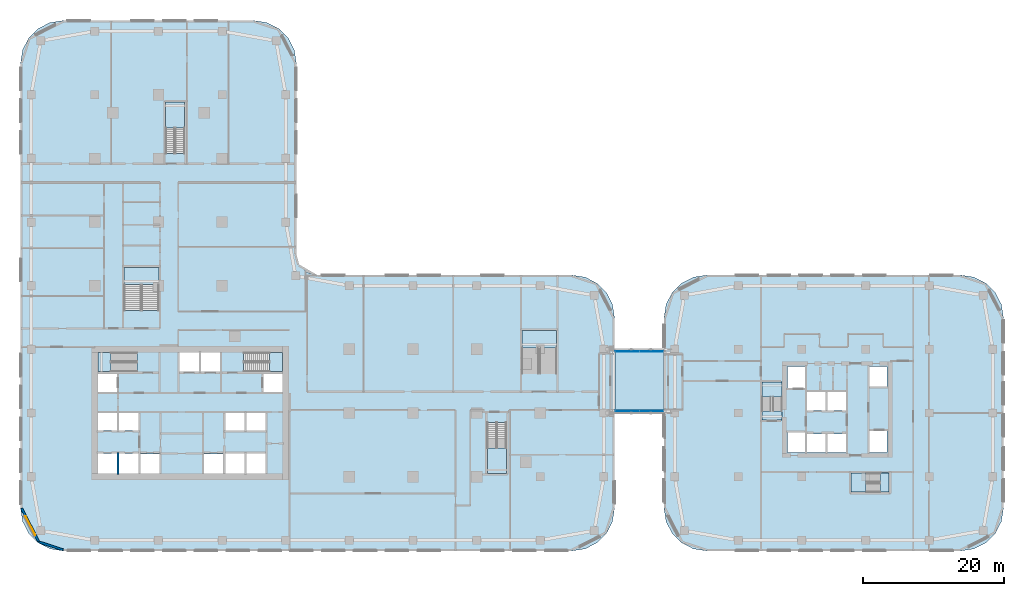
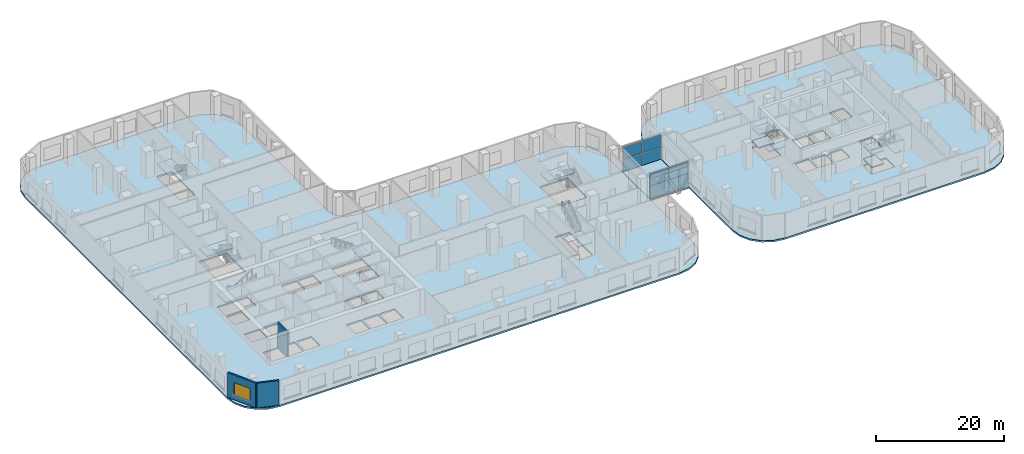
# One storey, part 5 of 35: 15 slabs, 8 plates, 3 walls, 1 window, 1 opening, 10 elements without a shape of their own.
"""IFC4 building model written with IfcOpenShell, lengths in metres."""

from ifc_helpers import new_model, si_unit, direction, frame, frame_2d, origin, origin_2d, place, context, subcontext, project, spatial, polyline, rectangle, outline, extrude, material, layer, layer_set, type_object, element, fill, aggregate, save


model = new_model("IFC4")

# Units and contexts
model_context = context("Model", 3, precision=1e-05, world=origin(), true_north=direction((0.0, 1.0)))
body_context = subcontext(model_context, "Body", "Model", "MODEL_VIEW")
ifc_project = project(units=[si_unit("LENGTHUNIT", "METRE"), si_unit("AREAUNIT", "SQUARE_METRE"), si_unit("VOLUMEUNIT", "CUBIC_METRE"), si_unit("PLANEANGLEUNIT", "RADIAN"), si_unit("MASSUNIT", "GRAM", prefix="KILO")], contexts=[model_context])

# Site, building, storey
site_placement = place(None, origin())
site = spatial("IfcSite", under=ifc_project, at=site_placement, CompositionType="ELEMENT")
building_placement = place(site_placement, origin())
building = spatial("IfcBuilding", under=site, at=building_placement, Name="Ogive Portal Towers", CompositionType="ELEMENT")
storey_placement = place(building_placement, frame((0.0, 0.0, 23.5)))
storey = spatial("IfcBuildingStorey", under=building, at=storey_placement, Name="L04", CompositionType="ELEMENT", Elevation=23.5)

# Curtain wall, plates
ifc_material_1 = material(Name="Glass, clear low-iron insulated glazing", Category="glass")
curtain_wall_type = type_object("IfcCurtainWallType", Name="CW LINK ENCLOSURE", PredefinedType="NOTDEFINED", material=ifc_material_1)
curtain_wall_1_placement = place(storey_placement, origin())
curtain_wall_1 = element("IfcCurtainWall", 1, at=curtain_wall_1_placement, inside=storey, type_object=curtain_wall_type, Name="A:L04:link:s", PredefinedType="NOTDEFINED")
ifc_material_2 = material(Name="Aluminium composite spandrel panel, insulated", Category="aluminium")
ifc_layer_1 = layer(ifc_material_2, 0.06005859375)
ifc_layer_set_1 = layer_set([ifc_layer_1], Name="CW PANEL SPANDREL 60")
plate_type = type_object("IfcPlateType", Name="CW PANEL SPANDREL 60", PredefinedType="CURTAIN_PANEL", material=ifc_layer_set_1)
plate_1_placement = place(storey_placement, frame((106.77490234375, 30.800048828125, 0.0), z_axis=(0.0, 0.0, 1.0), x_axis=(1.0, 0.0, 0.0)))
plate_1 = element("IfcPlate", 2, at=plate_1_placement, type_object=plate_type, Name="spandrel panel", PredefinedType="CURTAIN_PANEL", context=body_context, shape_type="SweptSolid", body=[
    extrude(rectangle(XDim=3.389892578125, YDim=0.06005859375, at=origin_2d()), origin(), (0.0, 0.0, 1.0), 2.3701171875),
])
plate_2_placement = place(storey_placement, frame((106.77490234375, 30.800048828125, 2.429931640625), z_axis=(0.0, 0.0, 1.0), x_axis=(1.0, 0.0, 0.0)))
plate_2 = element("IfcPlate", 3, at=plate_2_placement, type_object=plate_type, Name="spandrel panel", PredefinedType="CURTAIN_PANEL", context=body_context, shape_type="SweptSolid", body=[
    extrude(rectangle(XDim=3.389892578125, YDim=0.06005859375, at=origin_2d()), origin(), (0.0, 0.0, 1.0), 2.2099609375),
])
plate_3_placement = place(storey_placement, frame((110.22509765625, 30.800048828125, 0.0), z_axis=(0.0, 0.0, 1.0), x_axis=(1.0, 0.0, 0.0)))
plate_3 = element("IfcPlate", 4, at=plate_3_placement, type_object=plate_type, Name="spandrel panel", PredefinedType="CURTAIN_PANEL", context=body_context, shape_type="SweptSolid", body=[
    extrude(rectangle(XDim=3.389892578125, YDim=0.06005859375, at=origin_2d()), origin(), (0.0, 0.0, 1.0), 2.3701171875),
])
plate_4_placement = place(storey_placement, frame((110.22509765625, 30.800048828125, 2.429931640625), z_axis=(0.0, 0.0, 1.0), x_axis=(1.0, 0.0, 0.0)))
plate_4 = element("IfcPlate", 5, at=plate_4_placement, type_object=plate_type, Name="spandrel panel", PredefinedType="CURTAIN_PANEL", context=body_context, shape_type="SweptSolid", body=[
    extrude(rectangle(XDim=3.389892578125, YDim=0.06005859375, at=origin_2d()), origin(), (0.0, 0.0, 1.0), 2.2099609375),
])
aggregate(curtain_wall_1, [plate_1, plate_2, plate_3, plate_4])

curtain_wall_2_placement = place(storey_placement, origin())
curtain_wall_2 = element("IfcCurtainWall", 6, at=curtain_wall_2_placement, inside=storey, type_object=curtain_wall_type, Name="A:L04:link:n", PredefinedType="NOTDEFINED")
plate_5_placement = place(storey_placement, frame((106.77490234375, 39.199951171875, 0.0), z_axis=(0.0, 0.0, 1.0), x_axis=(1.0, 0.0, 0.0)))
plate_5 = element("IfcPlate", 7, at=plate_5_placement, type_object=plate_type, Name="spandrel panel", PredefinedType="CURTAIN_PANEL", context=body_context, shape_type="SweptSolid", body=[
    extrude(rectangle(XDim=3.389892578125, YDim=0.06005859375, at=origin_2d()), origin(), (0.0, 0.0, 1.0), 2.3701171875),
])
plate_6_placement = place(storey_placement, frame((106.77490234375, 39.199951171875, 2.429931640625), z_axis=(0.0, 0.0, 1.0), x_axis=(1.0, 0.0, 0.0)))
plate_6 = element("IfcPlate", 8, at=plate_6_placement, type_object=plate_type, Name="spandrel panel", PredefinedType="CURTAIN_PANEL", context=body_context, shape_type="SweptSolid", body=[
    extrude(rectangle(XDim=3.389892578125, YDim=0.06005859375, at=origin_2d()), origin(), (0.0, 0.0, 1.0), 2.2099609375),
])
plate_7_placement = place(storey_placement, frame((110.22509765625, 39.199951171875, 0.0), z_axis=(0.0, 0.0, 1.0), x_axis=(1.0, 0.0, 0.0)))
plate_7 = element("IfcPlate", 9, at=plate_7_placement, type_object=plate_type, Name="spandrel panel", PredefinedType="CURTAIN_PANEL", context=body_context, shape_type="SweptSolid", body=[
    extrude(rectangle(XDim=3.389892578125, YDim=0.06005859375, at=origin_2d()), origin(), (0.0, 0.0, 1.0), 2.3701171875),
])
plate_8_placement = place(storey_placement, frame((110.22509765625, 39.199951171875, 2.429931640625), z_axis=(0.0, 0.0, 1.0), x_axis=(1.0, 0.0, 0.0)))
plate_8 = element("IfcPlate", 10, at=plate_8_placement, type_object=plate_type, Name="spandrel panel", PredefinedType="CURTAIN_PANEL", context=body_context, shape_type="SweptSolid", body=[
    extrude(rectangle(XDim=3.389892578125, YDim=0.06005859375, at=origin_2d()), origin(), (0.0, 0.0, 1.0), 2.2099609375),
])
aggregate(curtain_wall_2, [plate_5, plate_6, plate_7, plate_8])

# Stair, slab
ifc_material_3 = material(Name="Concrete C40/50", Category="concrete")
stair_type = type_object("IfcStairType", Name="INT-STAIR", PredefinedType="HALF_TURN_STAIR", material=ifc_material_3)
stair_1_placement = place(storey_placement, origin())
stair_1 = element("IfcStair", 11, at=stair_1_placement, inside=storey, type_object=stair_type, Name="L04 Exit Stair ST-A1", PredefinedType="HALF_TURN_STAIR")
ifc_layer_2 = layer(ifc_material_3, 0.199951171875)
ifc_layer_set_2 = layer_set([ifc_layer_2], Name="INT-LANDING")
slab_type_1 = type_object("IfcSlabType", Name="INT-LANDING", PredefinedType="LANDING", material=ifc_layer_set_2)
slab_1_placement = place(storey_placement, frame((0.0, 0.0, 2.300048828125)))
slab_1 = element("IfcSlab", 12, at=slab_1_placement, type_object=slab_type_1, Name="ST-A1 landing 1", PredefinedType="LANDING", context=body_context, shape_type="SweptSolid", body=[
    extrude(outline(polyline([(33.81005859375, 39.050048828125), (31.949951171875, 39.050048828125), (31.949951171875, 36.35009765625), (33.81005859375, 36.35009765625), (33.81005859375, 39.050048828125)])), origin(), (0.0, 0.0, 1.0), 0.199951171875),
])
aggregate(stair_1, [slab_1])

stair_2_placement = place(storey_placement, origin())
stair_2 = element("IfcStair", 13, at=stair_2_placement, inside=storey, type_object=stair_type, Name="L04 Exit Stair ST-A2", PredefinedType="HALF_TURN_STAIR")
slab_2_placement = place(storey_placement, frame((0.0, 0.0, 2.300048828125)))
slab_2 = element("IfcSlab", 14, at=slab_2_placement, type_object=slab_type_1, Name="ST-A2 landing 1", PredefinedType="LANDING", context=body_context, shape_type="SweptSolid", body=[
    extrude(outline(polyline([(56.18994140625, 36.35009765625), (58.050048828125, 36.35009765625), (58.050048828125, 39.050048828125), (56.18994140625, 39.050048828125), (56.18994140625, 36.35009765625)])), origin(), (0.0, 0.0, 1.0), 0.199951171875),
])
aggregate(stair_2, [slab_2])

stair_3_placement = place(storey_placement, origin())
stair_3 = element("IfcStair", 15, at=stair_3_placement, inside=storey, type_object=stair_type, Name="L04 Exit Stair ST-A3", PredefinedType="HALF_TURN_STAIR")
slab_3_placement = place(storey_placement, frame((0.0, 0.0, 2.300048828125)))
slab_3 = element("IfcSlab", 16, at=slab_3_placement, type_object=slab_type_1, Name="ST-A3 landing 1", PredefinedType="LANDING", context=body_context, shape_type="SweptSolid", body=[
    extrude(outline(polyline([(44.199951171875, 70.840087890625), (44.199951171875, 74.449951171875), (41.5, 74.449951171875), (41.5, 70.840087890625), (44.199951171875, 70.840087890625)])), origin(), (0.0, 0.0, 1.0), 0.199951171875),
])
aggregate(stair_3, [slab_3])

stair_4_placement = place(storey_placement, origin())
stair_4 = element("IfcStair", 17, at=stair_4_placement, inside=storey, type_object=stair_type, Name="L04 Exit Stair ST-A4", PredefinedType="HALF_TURN_STAIR")
slab_4_placement = place(storey_placement, frame((0.0, 0.0, 2.300048828125)))
slab_4 = element("IfcSlab", 18, at=slab_4_placement, type_object=slab_type_1, Name="ST-A4 landing 1", PredefinedType="LANDING", context=body_context, shape_type="SweptSolid", body=[
    extrude(outline(polyline([(87.0, 25.530029296875), (87.0, 21.949951171875), (89.699951171875, 21.949951171875), (89.699951171875, 25.530029296875), (87.0, 25.530029296875)])), origin(), (0.0, 0.0, 1.0), 0.199951171875),
])
aggregate(stair_4, [slab_4])

# Stair, slabs
stair_5_placement = place(storey_placement, origin())
stair_5 = element("IfcStair", 19, at=stair_5_placement, inside=storey, type_object=stair_type, Name="L04 Exit Stair ST-B1", PredefinedType="HALF_TURN_STAIR")
slab_5_placement = place(storey_placement, frame((0.0, 0.0, 1.050048828125)))
slab_5 = element("IfcSlab", 20, at=slab_5_placement, type_object=slab_type_1, Name="ST-B1 landing 1", PredefinedType="LANDING", context=body_context, shape_type="SweptSolid", body=[
    extrude(outline(polyline([(128.699951171875, 32.760009765625), (128.699951171875, 34.89990234375), (125.85009765625, 34.89990234375), (125.85009765625, 32.760009765625), (128.699951171875, 32.760009765625)])), origin(), (0.0, 0.0, 1.0), 0.199951171875),
])
slab_6_placement = place(storey_placement, frame((0.0, 0.0, 2.300048828125)))
slab_6 = element("IfcSlab", 21, at=slab_6_placement, type_object=slab_type_1, Name="ST-B1 landing 2", PredefinedType="LANDING", context=body_context, shape_type="SweptSolid", body=[
    extrude(outline(polyline([(128.699951171875, 29.5), (128.699951171875, 30.800048828125), (125.85009765625, 30.800048828125), (125.85009765625, 29.5), (128.699951171875, 29.5)])), origin(), (0.0, 0.0, 1.0), 0.199951171875),
])
slab_7_placement = place(storey_placement, frame((0.0, 0.0, 3.550048828125)))
slab_7 = element("IfcSlab", 22, at=slab_7_placement, type_object=slab_type_1, Name="ST-B1 landing 3", PredefinedType="LANDING", context=body_context, shape_type="SweptSolid", body=[
    extrude(outline(polyline([(128.699951171875, 32.760009765625), (128.699951171875, 34.89990234375), (125.85009765625, 34.89990234375), (125.85009765625, 32.760009765625), (128.699951171875, 32.760009765625)])), origin(), (0.0, 0.0, 1.0), 0.199951171875),
])
aggregate(stair_5, [slab_5, slab_6, slab_7])

stair_6_placement = place(storey_placement, origin())
stair_6 = element("IfcStair", 23, at=stair_6_placement, inside=storey, type_object=stair_type, Name="L04 Exit Stair ST-B2", PredefinedType="HALF_TURN_STAIR")
slab_8_placement = place(storey_placement, frame((0.0, 0.0, 1.050048828125)))
slab_8 = element("IfcSlab", 24, at=slab_8_placement, type_object=slab_type_1, Name="ST-B2 landing 1", PredefinedType="LANDING", context=body_context, shape_type="SweptSolid", body=[
    extrude(outline(polyline([(140.590087890625, 22.0), (138.449951171875, 22.0), (138.449951171875, 19.300048828125), (140.590087890625, 19.300048828125), (140.590087890625, 22.0)])), origin(), (0.0, 0.0, 1.0), 0.199951171875),
])
slab_9_placement = place(storey_placement, frame((0.0, 0.0, 2.300048828125)))
slab_9 = element("IfcSlab", 25, at=slab_9_placement, type_object=slab_type_1, Name="ST-B2 landing 2", PredefinedType="LANDING", context=body_context, shape_type="SweptSolid", body=[
    extrude(outline(polyline([(143.85009765625, 22.0), (142.550048828125, 22.0), (142.550048828125, 19.300048828125), (143.85009765625, 19.300048828125), (143.85009765625, 22.0)])), origin(), (0.0, 0.0, 1.0), 0.199951171875),
])
slab_10_placement = place(storey_placement, frame((0.0, 0.0, 3.550048828125)))
slab_10 = element("IfcSlab", 26, at=slab_10_placement, type_object=slab_type_1, Name="ST-B2 landing 3", PredefinedType="LANDING", context=body_context, shape_type="SweptSolid", body=[
    extrude(outline(polyline([(140.590087890625, 22.0), (138.449951171875, 22.0), (138.449951171875, 19.300048828125), (140.590087890625, 19.300048828125), (140.590087890625, 22.0)])), origin(), (0.0, 0.0, 1.0), 0.199951171875),
])
aggregate(stair_6, [slab_8, slab_9, slab_10])

# Stair, slab
stair_7_placement = place(storey_placement, origin())
stair_7 = element("IfcStair", 27, at=stair_7_placement, inside=storey, type_object=stair_type, Name="L04 Exit Stair ST-P1", PredefinedType="HALF_TURN_STAIR")
slab_11_placement = place(storey_placement, frame((0.0, 0.0, 2.300048828125)))
slab_11 = element("IfcSlab", 28, at=slab_11_placement, type_object=slab_type_1, Name="ST-P1 landing 1", PredefinedType="LANDING", context=body_context, shape_type="SweptSolid", body=[
    extrude(outline(polyline([(96.800048828125, 39.68994140625), (96.800048828125, 42.14990234375), (91.89990234375, 42.14990234375), (91.89990234375, 39.68994140625), (96.800048828125, 39.68994140625)])), origin(), (0.0, 0.0, 1.0), 0.199951171875),
])
aggregate(stair_7, [slab_11])

stair_8_placement = place(storey_placement, origin())
stair_8 = element("IfcStair", 29, at=stair_8_placement, inside=storey, type_object=stair_type, Name="L04 Exit Stair ST-P2", PredefinedType="HALF_TURN_STAIR")
slab_12_placement = place(storey_placement, frame((0.0, 0.0, 2.300048828125)))
slab_12 = element("IfcSlab", 30, at=slab_12_placement, type_object=slab_type_1, Name="ST-P2 landing 1", PredefinedType="LANDING", context=body_context, shape_type="SweptSolid", body=[
    extrude(outline(polyline([(40.550048828125, 48.639892578125), (40.550048828125, 51.10009765625), (35.64990234375, 51.10009765625), (35.64990234375, 48.639892578125), (40.550048828125, 48.639892578125)])), origin(), (0.0, 0.0, 1.0), 0.199951171875),
])
aggregate(stair_8, [slab_12])

# Slabs
ifc_material_4 = material(Name="Concrete C45/55", Category="concrete")
ifc_layer_3 = layer(ifc_material_4, 0.300048828125)
ifc_layer_set_3 = layer_set([ifc_layer_3], Name="PT FLAT PLATE 300")
slab_type_2 = type_object("IfcSlabType", Name="PT FLAT PLATE 300", PredefinedType="FLOOR", material=ifc_layer_set_3)
slab_13_placement = place(storey_placement, frame((0.0, 0.0, -0.300048828125)))
element("IfcSlab", 31, at=slab_13_placement, inside=storey, type_object=slab_type_2, Name="Floor slab L04", PredefinedType="FLOOR", context=body_context, shape_type="SweptSolid", body=[
    extrude(outline(polyline([(21.0, 80.0), (21.0, 17.0), (21.293701171875, 15.14599609375), (22.14599609375, 13.473388671875), (23.473388671875, 12.14599609375), (25.14599609375, 11.293701171875), (27.0, 11.0), (99.0, 11.0), (100.85400390625, 11.293701171875), (102.526611328125, 12.14599609375), (103.85400390625, 13.473388671875), (104.706298828125, 15.14599609375), (105.0, 17.0), (105.0, 44.0), (104.706298828125, 45.85400390625), (103.85400390625, 47.526611328125), (102.526611328125, 48.85400390625), (100.85400390625, 49.706298828125), (99.0, 50.0), (63.0, 50.0), (61.5, 50.40185546875), (60.40185546875, 51.5), (60.0, 53.0), (60.0, 80.0), (59.706298828125, 81.85400390625), (58.85400390625, 83.526611328125), (57.526611328125, 84.85400390625), (55.85400390625, 85.706298828125), (54.0, 86.0), (27.0, 86.0), (25.14599609375, 85.706298828125), (23.473388671875, 84.85400390625), (22.14599609375, 83.526611328125), (21.293701171875, 81.85400390625), (21.0, 80.0)]), holes=[polyline([(34.64990234375, 24.75), (34.64990234375, 21.949951171875), (31.949951171875, 21.949951171875), (31.949951171875, 24.75), (34.64990234375, 24.75)]), polyline([(37.64990234375, 24.75), (37.64990234375, 21.949951171875), (34.949951171875, 21.949951171875), (34.949951171875, 24.75), (37.64990234375, 24.75)]), polyline([(40.6298828125, 21.969970703125), (37.969970703125, 21.969970703125), (37.969970703125, 24.72998046875), (40.6298828125, 24.72998046875), (40.6298828125, 21.969970703125)]), polyline([(34.64990234375, 28.050048828125), (31.949951171875, 28.050048828125), (31.949951171875, 30.5), (34.64990234375, 30.5), (34.64990234375, 28.050048828125)]), polyline([(37.64990234375, 28.050048828125), (34.949951171875, 28.050048828125), (34.949951171875, 30.5), (37.64990234375, 30.5), (37.64990234375, 28.050048828125)]), polyline([(34.64990234375, 36.050048828125), (34.64990234375, 33.5), (31.949951171875, 33.5), (31.949951171875, 36.050048828125), (34.64990234375, 36.050048828125)]), polyline([(37.447998046875, 39.048095703125), (37.447998046875, 36.35205078125), (31.951904296875, 36.35205078125), (31.951904296875, 39.048095703125), (37.447998046875, 39.048095703125)]), polyline([(46.199951171875, 36.35009765625), (43.5, 36.35009765625), (43.5, 39.050048828125), (46.199951171875, 39.050048828125), (46.199951171875, 36.35009765625)]), polyline([(49.199951171875, 39.050048828125), (49.199951171875, 36.35009765625), (46.5, 36.35009765625), (46.5, 39.050048828125), (49.199951171875, 39.050048828125)]), polyline([(40.548095703125, 45.001953125), (35.652099609375, 45.001953125), (35.652099609375, 51.097900390625), (40.548095703125, 51.097900390625), (40.548095703125, 45.001953125)]), polyline([(44.197998046875, 67.201904296875), (41.501953125, 67.201904296875), (41.501953125, 74.447998046875), (44.197998046875, 74.447998046875), (44.197998046875, 67.201904296875)]), polyline([(49.6298828125, 21.969970703125), (46.969970703125, 21.969970703125), (46.969970703125, 24.72998046875), (49.6298828125, 24.72998046875), (49.6298828125, 21.969970703125)]), polyline([(52.64990234375, 24.75), (52.64990234375, 21.949951171875), (49.949951171875, 21.949951171875), (49.949951171875, 24.75), (52.64990234375, 24.75)]), polyline([(55.64990234375, 21.949951171875), (52.949951171875, 21.949951171875), (52.949951171875, 24.75), (55.64990234375, 24.75), (55.64990234375, 21.949951171875)]), polyline([(87.001953125, 29.16796875), (89.697998046875, 29.16796875), (89.697998046875, 21.951904296875), (87.001953125, 21.951904296875), (87.001953125, 29.16796875)]), polyline([(52.64990234375, 30.5), (52.64990234375, 28.050048828125), (49.949951171875, 28.050048828125), (49.949951171875, 30.5), (52.64990234375, 30.5)]), polyline([(55.64990234375, 28.050048828125), (52.949951171875, 28.050048828125), (52.949951171875, 30.5), (55.64990234375, 30.5), (55.64990234375, 28.050048828125)]), polyline([(58.050048828125, 36.050048828125), (58.050048828125, 33.5), (55.35009765625, 33.5), (55.35009765625, 36.050048828125), (58.050048828125, 36.050048828125)]), polyline([(52.552001953125, 36.35205078125), (52.552001953125, 39.048095703125), (58.048095703125, 39.048095703125), (58.048095703125, 36.35205078125), (52.552001953125, 36.35205078125)]), polyline([(96.798095703125, 36.052001953125), (91.902099609375, 36.052001953125), (91.902099609375, 42.14794921875), (96.798095703125, 42.14794921875), (96.798095703125, 36.052001953125)])]), origin(), (0.0, 0.0, 1.0), 0.300048828125),
])
slab_14_placement = place(storey_placement, frame((0.0, 0.0, -0.300048828125)))
element("IfcSlab", 32, at=slab_14_placement, inside=storey, type_object=slab_type_2, Name="Floor slab L04", PredefinedType="FLOOR", context=body_context, shape_type="SweptSolid", body=[
    extrude(outline(polyline([(112.0, 44.0), (112.0, 17.0), (112.293701171875, 15.14599609375), (113.14599609375, 13.473388671875), (114.473388671875, 12.14599609375), (116.14599609375, 11.293701171875), (118.0, 11.0), (154.0, 11.0), (155.85400390625, 11.293701171875), (157.526611328125, 12.14599609375), (158.85400390625, 13.473388671875), (159.706298828125, 15.14599609375), (160.0, 17.0), (160.0, 44.0), (159.706298828125, 45.85400390625), (158.85400390625, 47.526611328125), (157.526611328125, 48.85400390625), (155.85400390625, 49.706298828125), (154.0, 50.0), (118.0, 50.0), (116.14599609375, 49.706298828125), (114.473388671875, 48.85400390625), (113.14599609375, 47.526611328125), (112.293701171875, 45.85400390625), (112.0, 44.0)]), holes=[polyline([(128.697998046875, 34.89794921875), (128.697998046875, 30.802001953125), (125.85205078125, 30.802001953125), (125.85205078125, 34.89794921875), (128.697998046875, 34.89794921875)]), polyline([(131.949951171875, 37.050048828125), (131.949951171875, 34.050048828125), (129.449951171875, 34.050048828125), (129.449951171875, 37.050048828125), (131.949951171875, 37.050048828125)]), polyline([(138.451904296875, 21.998046875), (142.548095703125, 21.998046875), (142.548095703125, 19.302001953125), (138.451904296875, 19.302001953125), (138.451904296875, 21.998046875)]), polyline([(134.85009765625, 27.550048828125), (134.85009765625, 24.949951171875), (132.25, 24.949951171875), (132.25, 27.550048828125), (134.85009765625, 27.550048828125)]), polyline([(137.75, 27.550048828125), (137.75, 24.949951171875), (135.14990234375, 24.949951171875), (135.14990234375, 27.550048828125), (137.75, 27.550048828125)]), polyline([(131.949951171875, 27.75), (131.949951171875, 24.949951171875), (129.449951171875, 24.949951171875), (129.449951171875, 27.75), (131.949951171875, 27.75)]), polyline([(143.550048828125, 27.949951171875), (143.550048828125, 24.949951171875), (141.050048828125, 24.949951171875), (141.050048828125, 27.949951171875), (143.550048828125, 27.949951171875)]), polyline([(134.85009765625, 33.449951171875), (134.85009765625, 30.85009765625), (132.25, 30.85009765625), (132.25, 33.449951171875), (134.85009765625, 33.449951171875)]), polyline([(137.75, 33.449951171875), (137.75, 30.85009765625), (135.14990234375, 30.85009765625), (135.14990234375, 33.449951171875), (137.75, 33.449951171875)]), polyline([(143.550048828125, 37.050048828125), (143.550048828125, 34.25), (141.050048828125, 34.25), (141.050048828125, 37.050048828125), (143.550048828125, 37.050048828125)])]), origin(), (0.0, 0.0, 1.0), 0.300048828125),
])
slab_15_placement = place(storey_placement, frame((0.0, 0.0, -0.300048828125)))
element("IfcSlab", 33, at=slab_15_placement, inside=storey, type_object=slab_type_2, Name="Link floor L04", PredefinedType="FLOOR", context=body_context, shape_type="SweptSolid", body=[
    extrude(outline(polyline([(111.949951171875, 30.5), (111.949951171875, 39.5), (105.050048828125, 39.5), (105.050048828125, 30.5), (111.949951171875, 30.5)])), origin(), (0.0, 0.0, 1.0), 0.300048828125),
])

# Wall, opening, window
ifc_material_5 = material(Name="Limestone cladding on lightweight block wall", Category="masonry")
ifc_layer_4 = layer(ifc_material_5, 0.300048828125)
ifc_layer_set_4 = layer_set([ifc_layer_4], Name="EXTERNAL WALL 300 STONE")
wall_type_1 = type_object("IfcWallType", Name="EXTERNAL WALL 300 STONE", PredefinedType="SOLIDWALL", material=ifc_layer_set_4)
wall_1_placement = place(storey_placement, frame((21.166259765625, 17.00390625, 0.0), z_axis=(0.0, 0.0, 1.0), x_axis=(0.454006562826, -0.890998339455, 0.0)))
wall_1 = element("IfcWall", 34, at=wall_1_placement, inside=storey, type_object=wall_type_1, Name="A:L04:f00:w0", PredefinedType="SOLIDWALL", context=body_context, shape_type="SweptSolid", body=[
    extrude(rectangle(XDim=5.251708984375, YDim=0.300048828125, at=frame_2d((2.6259765625, 0.0))), origin(), (0.0, 0.0, 1.0), 4.699951171875),
])
opening_placement = place(wall_1_placement, frame((1.223876953125, 0.0, 0.89990234375)))
opening = element("IfcOpeningElement", 35, at=opening_placement, cuts=wall_1, Name="Opening WN3", PredefinedType="OPENING", context=body_context, shape_type="SweptSolid", body=[
    extrude(rectangle(XDim=3.0, YDim=2.39990234375, at=frame_2d((1.5, 1.199951171875))), frame((0.0, 0.16015625, 0.0), z_axis=(0.0, -1.0, 0.0), x_axis=(1.0, 0.0, 0.0)), (0.0, 0.0, 1.0), 0.320068359375),
])
window_type = type_object("IfcWindowType", Name="WINDOW PODIUM 3000x2400", PartitioningType="SINGLE_PANEL", PredefinedType="WINDOW", material=ifc_material_1)
window_placement = place(opening_placement, origin())
window = element("IfcWindow", 36, at=window_placement, inside=storey, type_object=window_type, Name="A:L04:f00:w0:o0", OverallHeight=2.39990234375, OverallWidth=3.0, PartitioningType="SINGLE_PANEL", PredefinedType="WINDOW", context=body_context, shape_type="SweptSolid", body=[
    extrude(rectangle(XDim=3.0, YDim=2.39990234375, at=frame_2d((1.5, 1.199951171875))), frame((0.0, 0.030029296875, 0.0), z_axis=(0.0, -1.0, 0.0), x_axis=(1.0, 0.0, 0.0)), (0.0, 0.0, 1.0), 0.06005859375),
])
fill(opening, window)

# Walls
wall_2_placement = place(storey_placement, frame((23.637939453125, 12.250244140625, 0.0), z_axis=(0.0, 0.0, 1.0), x_axis=(0.951038127287, -0.309073584194, 0.0)))
element("IfcWall", 37, at=wall_2_placement, inside=storey, type_object=wall_type_1, Name="A:L04:f01:w0", PredefinedType="SOLIDWALL", context=body_context, shape_type="SweptSolid", body=[
    extrude(rectangle(XDim=3.536376953125, YDim=0.300048828125, at=frame_2d((1.76806640625, 0.0))), origin(), (0.0, 0.0, 1.0), 4.699951171875),
])
ifc_layer_5 = layer(ifc_material_3, 0.300048828125)
ifc_layer_set_5 = layer_set([ifc_layer_5], Name="WT-SHAFT-300")
wall_type_2 = type_object("IfcWallType", Name="WT-SHAFT-300", PredefinedType="SOLIDWALL", material=ifc_layer_set_5)
wall_3_placement = place(storey_placement, frame((34.800048828125, 21.800048828125, 0.0), z_axis=(0.0, 0.0, 1.0), x_axis=(0.0, 1.0, 0.0)))
element("IfcWall", 38, at=wall_3_placement, inside=storey, type_object=wall_type_2, Name="Wall pw:011:L04", PredefinedType="SOLIDWALL", context=body_context, shape_type="SweptSolid", body=[
    extrude(rectangle(XDim=3.099853515625, YDim=0.300048828125, at=frame_2d((1.5498046875, 0.0))), origin(), (0.0, 0.0, 1.0), 4.699951171875),
])

save(model, "model.ifc")
